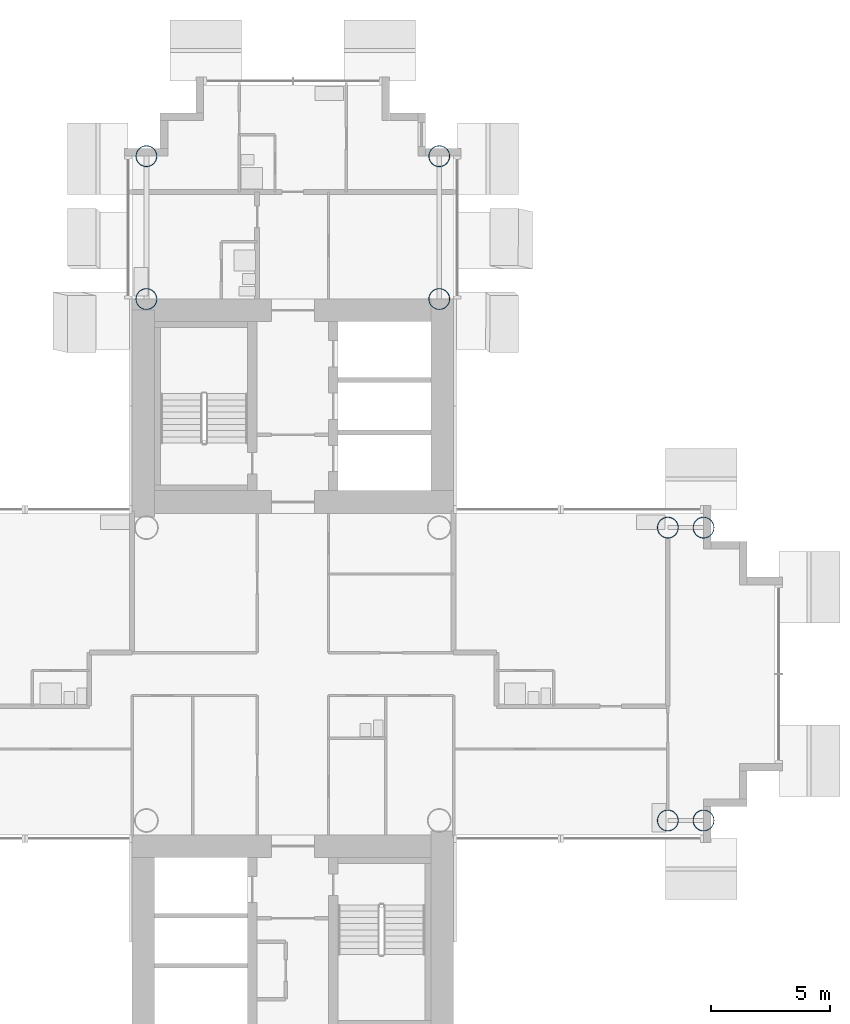
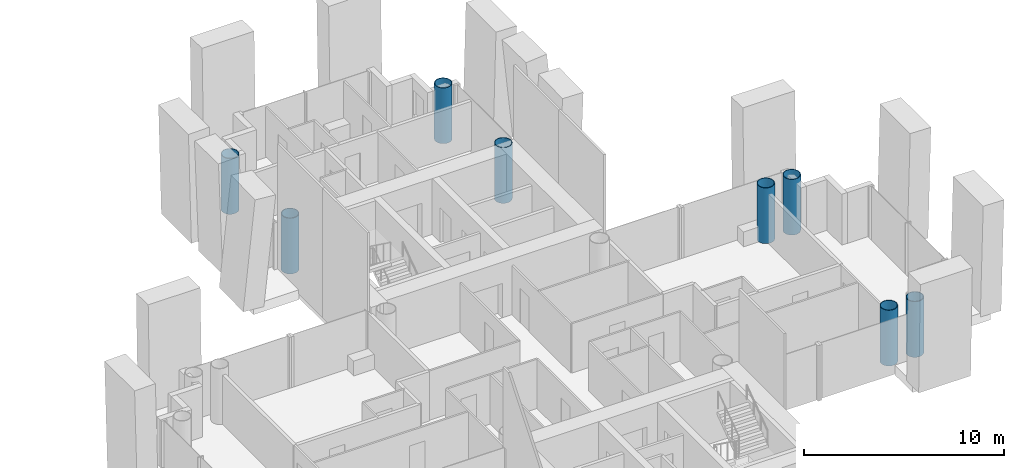
# One storey, part 2 of 20: 8 columns.
"""IFC4 building model written with IfcOpenShell, lengths in metres."""

import ifcopenshell
import ifcopenshell.guid

model = None  # the IFC model being written
_history = None  # IfcOwnerHistory: only IFC2X3 demands one
_inside = {}  # id of a spatial element -> (the spatial element, [elements in it])
_under = {}  # id of a project, library or spatial element -> (it, [spatial elements below it])
_declared = {}  # id of a project -> (the project, [libraries it declares])
_typed = {}  # id of a type object -> (the type object, [elements of that type])
_made_of = {}  # id of a material, layer set ... -> (it, [elements and type objects made of it])


def new_model(schema):
    """Start an empty IFC model of exactly this schema.

    Asked for "IFC4X3", IfcOpenShell would pick the latest addendum, in which some entities
    have other attributes; the version numbers below select the first issue.
    IFC2X3 requires an IfcOwnerHistory on every rooted entity: one is made here for all.
    """
    global model, _history
    if schema == "IFC4X3":
        model = ifcopenshell.file(schema_version=(4, 3, 0, 0))
    else:
        model = ifcopenshell.file(schema=schema)
    _inside.clear()
    _under.clear()
    _declared.clear()
    _typed.clear()
    _made_of.clear()
    _history = None
    if model.schema == "IFC2X3":
        org = make("IfcOrganization", Name="unknown")
        user = make(
            "IfcPersonAndOrganization",
            ThePerson=make("IfcPerson", FamilyName="unknown"),
            TheOrganization=org,
        )
        app = make(
            "IfcApplication",
            ApplicationDeveloper=org,
            Version="unknown",
            ApplicationFullName="unknown",
            ApplicationIdentifier="unknown",
        )
        _history = make(
            "IfcOwnerHistory",
            OwningUser=user,
            OwningApplication=app,
            ChangeAction="ADDED",
            CreationDate=0,
        )
    return model


def make(cls, **values):
    """One entity of the class cls with the attributes given. An attribute that is None is left unset."""
    return model.create_entity(
        cls, **{name: value for name, value in values.items() if value is not None}
    )


def rooted(cls, **values):
    """An entity with a GlobalId (a new one), such as an element, a storey or a relation."""
    return make(cls, GlobalId=ifcopenshell.guid.new(), OwnerHistory=_history, **values)


def si_unit(unit_type, name, prefix=None):
    """IfcSIUnit, for example si_unit("LENGTHUNIT", "METRE", prefix="MILLI")."""
    return make("IfcSIUnit", UnitType=unit_type, Prefix=prefix, Name=name)


def assignment(units):
    """IfcUnitAssignment: the units of a project."""
    return None if units is None else make("IfcUnitAssignment", Units=units)


def point(xyz):
    """IfcCartesianPoint."""
    return None if xyz is None else make("IfcCartesianPoint", Coordinates=xyz)


def direction(xyz):
    """IfcDirection."""
    return None if xyz is None else make("IfcDirection", DirectionRatios=xyz)


def frame(location, z_axis=None, x_axis=None):
    """IfcAxis2Placement3D, a coordinate frame: its origin and axes. An axis left out is left unset."""
    return make(
        "IfcAxis2Placement3D",
        Location=point(location),
        Axis=direction(z_axis),
        RefDirection=direction(x_axis),
    )


def frame_2d(location, x_axis=None):
    """IfcAxis2Placement2D, a coordinate frame in the plane: its origin and x axis."""
    return make(
        "IfcAxis2Placement2D", Location=point(location), RefDirection=direction(x_axis)
    )


def origin():
    """The frame at (0, 0, 0) with its axes left unset."""
    return frame((0.0, 0.0, 0.0))


def origin_2d():
    """The frame at (0, 0) in the plane with its x axis left unset."""
    return frame_2d((0.0, 0.0))


def place(relative_to, where):
    """IfcLocalPlacement: puts the frame where relative to a parent placement (None: the world)."""
    return make(
        "IfcLocalPlacement", PlacementRelTo=relative_to, RelativePlacement=where
    )


def context(
    kind, dimensions, precision=None, world=None, true_north=None, identifier=None
):
    """IfcGeometricRepresentationContext, for example the 3D "Model" context."""
    return make(
        "IfcGeometricRepresentationContext",
        ContextIdentifier=identifier,
        ContextType=kind,
        CoordinateSpaceDimension=dimensions,
        Precision=precision,
        WorldCoordinateSystem=world,
        TrueNorth=true_north,
    )


def subcontext(parent, identifier, kind, view, scale=None):
    """IfcGeometricRepresentationSubContext, for example "Body" below "Model"."""
    return make(
        "IfcGeometricRepresentationSubContext",
        ContextIdentifier=identifier,
        ContextType=kind,
        ParentContext=parent,
        TargetScale=scale,
        TargetView=view,
    )


def project(units=None, contexts=None):
    """IfcProject with its units and contexts."""
    return rooted(
        "IfcProject",
        Name="project",
        RepresentationContexts=contexts,
        UnitsInContext=assignment(units),
    )


def spatial(cls, under=None, at=None, **own):
    """A site, building, storey or space (cls), placed at a placement, below another one or the project."""
    s = rooted(cls, ObjectPlacement=at, **own)
    if under is not None:
        _under.setdefault(under.id(), (under, []))[1].append(s)
    return s


def profile(cls, at=None, kind="AREA", **sizes):
    """A parametric profile (cls). Its sizes go by their IFC names, for example OverallWidth=200.0."""
    return make(cls, ProfileType=kind, Position=at, **sizes)


def hollow_circle(**sizes):
    """IfcCircleHollowProfileDef."""
    return profile("IfcCircleHollowProfileDef", **sizes)


def extrude(swept, where, along, depth):
    """IfcExtrudedAreaSolid: the profile swept, set in the frame where, extruded along a direction by depth."""
    return make(
        "IfcExtrudedAreaSolid",
        SweptArea=swept,
        Position=where,
        ExtrudedDirection=direction(along),
        Depth=depth,
    )


def shape(context_of_items, identifier, shape_type, items):
    """IfcShapeRepresentation: the items that make up one representation, for example the "Body"."""
    return make(
        "IfcShapeRepresentation",
        ContextOfItems=context_of_items,
        RepresentationIdentifier=identifier,
        RepresentationType=shape_type,
        Items=items,
    )


def material(Name=None, Category=None):
    """IfcMaterial."""
    return make("IfcMaterial", Name=Name, Category=Category)


def material_profile(
    of_material, cross_section, Name=None, Category=None, Priority=None
):
    """IfcMaterialProfile: a cross section and its material."""
    return make(
        "IfcMaterialProfile",
        Name=Name,
        Material=of_material,
        Profile=cross_section,
        Priority=Priority,
        Category=Category,
    )


def profile_set(profiles, Name=None, composite=None):
    """IfcMaterialProfileSet."""
    return make(
        "IfcMaterialProfileSet",
        Name=Name,
        MaterialProfiles=profiles,
        CompositeProfile=composite,
    )


def made_of(thing, what):
    """Note that an element or type object is made of a material, layer set ...; save() writes the relation."""
    if what is not None:
        _made_of.setdefault(what.id(), (what, []))[1].append(thing)
    return thing


def type_object(cls, material=None, **own):
    """A type object (cls), such as IfcWallType, which elements share."""
    return made_of(rooted(cls, **own), material)


def element(
    cls,
    number,
    at=None,
    inside=None,
    cuts=None,
    type_object=None,
    material=None,
    context=None,
    identifier="Body",
    shape_type=None,
    held_by="IfcProductDefinitionShape",
    body=None,
    shapes=None,
    **own,
):
    """One element of the class cls, such as IfcWall. Its Tag is "e" and its number.

    at: its placement. inside: the storey or other place that contains it. cuts: it is an
    opening in that element (IfcRelVoidsElement). A single representation is given by context,
    identifier, shape_type and body (its items); several are given by shapes. held_by: the class
    of the entity that holds the representations. save() writes the other relations.
    """
    e = rooted(cls, Tag="e%d" % number, ObjectPlacement=at, **own)
    if body is not None:
        shapes = [shape(context, identifier, shape_type, body)]
    if shapes is not None:
        e.Representation = make(held_by, Representations=shapes)
    if inside is not None:
        _inside.setdefault(inside.id(), (inside, []))[1].append(e)
    if cuts is not None:
        rooted(
            "IfcRelVoidsElement", RelatingBuildingElement=cuts, RelatedOpeningElement=e
        )
    if type_object is not None:
        _typed.setdefault(type_object.id(), (type_object, []))[1].append(e)
    return made_of(e, material)


def aggregate(whole, parts):
    """IfcRelAggregates: a whole, such as a stair, and the parts it consists of."""
    return rooted("IfcRelAggregates", RelatingObject=whole, RelatedObjects=parts)


def save(model, path):
    """Write the relations noted so far, then the file.

    IfcRelAggregates (storeys below a building ...), IfcRelContainedInSpatialStructure (elements
    in a storey), IfcRelDefinesByType, IfcRelAssociatesMaterial and IfcRelDeclares: one each for
    every whole, place, type object, material and project.
    """
    for whole, parts in _under.values():
        aggregate(whole, parts)
    for where, things in _inside.values():
        rooted(
            "IfcRelContainedInSpatialStructure",
            RelatedElements=things,
            RelatingStructure=where,
        )
    for kind, things in _typed.values():
        rooted("IfcRelDefinesByType", RelatedObjects=things, RelatingType=kind)
    for what, things in _made_of.values():
        rooted("IfcRelAssociatesMaterial", RelatedObjects=things, RelatingMaterial=what)
    for by, libraries in _declared.values():
        rooted("IfcRelDeclares", RelatingContext=by, RelatedDefinitions=libraries)
    model.write(path)


model = new_model("IFC4")

# Units and contexts
model_context = context("Model", 3, precision=1e-05, world=origin(), true_north=direction((0.0, 1.0)))
body_context = subcontext(model_context, "Body", "Model", "MODEL_VIEW")
ifc_project = project(units=[si_unit("LENGTHUNIT", "METRE"), si_unit("AREAUNIT", "SQUARE_METRE"), si_unit("VOLUMEUNIT", "CUBIC_METRE"), si_unit("PLANEANGLEUNIT", "RADIAN"), si_unit("MASSUNIT", "GRAM", prefix="KILO")], contexts=[model_context])

# Site, building, storey
site_placement = place(None, origin())
site = spatial("IfcSite", under=ifc_project, at=site_placement, CompositionType="ELEMENT")
building_placement = place(site_placement, origin())
building = spatial("IfcBuilding", under=site, at=building_placement, Name="Ipe Terrace Towers", CompositionType="ELEMENT")
storey_placement = place(building_placement, frame((0.0, 0.0, 120.800048828125)))
storey = spatial("IfcBuildingStorey", under=building, at=storey_placement, Name="L33", CompositionType="ELEMENT", Elevation=120.800048828125)

# Columns
ifc_material = material(Name="Steel S355 tube with Concrete C60/75 fill", Category="concrete")
ifc_material_profile = material_profile(ifc_material, hollow_circle(Radius=0.449951171875, WallThickness=0.031982421875, at=origin_2d()), Name="CHS-900x32")
ifc_profile_set = profile_set([ifc_material_profile], Name="Steel S355 tube with Concrete C60/75 fill")
column_type = type_object("IfcColumnType", Name="CH10 COLUMN CHS-900x32", PredefinedType="COLUMN", material=ifc_profile_set)
for number, where, z_axis, x_axis, name in (
    (1, (42.14990234375, 15.75, 0.0), (0.0, 0.0, 1.0), (1.0, 0.0, 0.0), "Column T2-C-A01"),
    (2, (29.85009765625, 15.75, 0.0), (0.0, 0.0, 1.0), (1.0, 0.0, 0.0), "Column T2-C-A02"),
    (3, (42.14990234375, 21.75, 0.0), (0.0, 0.0, 1.0), (1.0, 0.0, 0.0), "Column T2-C-A03"),
    (4, (29.85009765625, 21.75, 0.0), (0.0, 0.0, 1.0), (1.0, 0.0, 0.0), "Column T2-C-A04"),
    (5, (51.75, -6.14990234375, 0.0), (0.0, 0.0, 1.0), (1.0, 0.0, 0.0), "Column T2-C-D03"),
    (6, (51.75, 6.14990234375, 0.0), (0.0, 0.0, 1.0), (1.0, 0.0, 0.0), "Column T2-C-D04"),
    (7, (53.25, -6.14990234375, 0.0), (0.0, 0.0, 1.0), (1.0, 0.0, 0.0), "Column T2-C-D05"),
    (8, (53.25, 6.14990234375, 0.0), (0.0, 0.0, 1.0), (1.0, 0.0, 0.0), "Column T2-C-D06"),
):
    element("IfcColumn", number, at=place(storey_placement, frame(where, z_axis=z_axis, x_axis=x_axis)), inside=storey, type_object=column_type, Name=name, PredefinedType="COLUMN", context=body_context, shape_type="SweptSolid", body=[
        extrude(hollow_circle(Radius=0.449951171875, WallThickness=0.031982421875, at=origin_2d()), origin(), (0.0, 0.0, 1.0), 3.39990234375),
    ])

save(model, "model.ifc")
